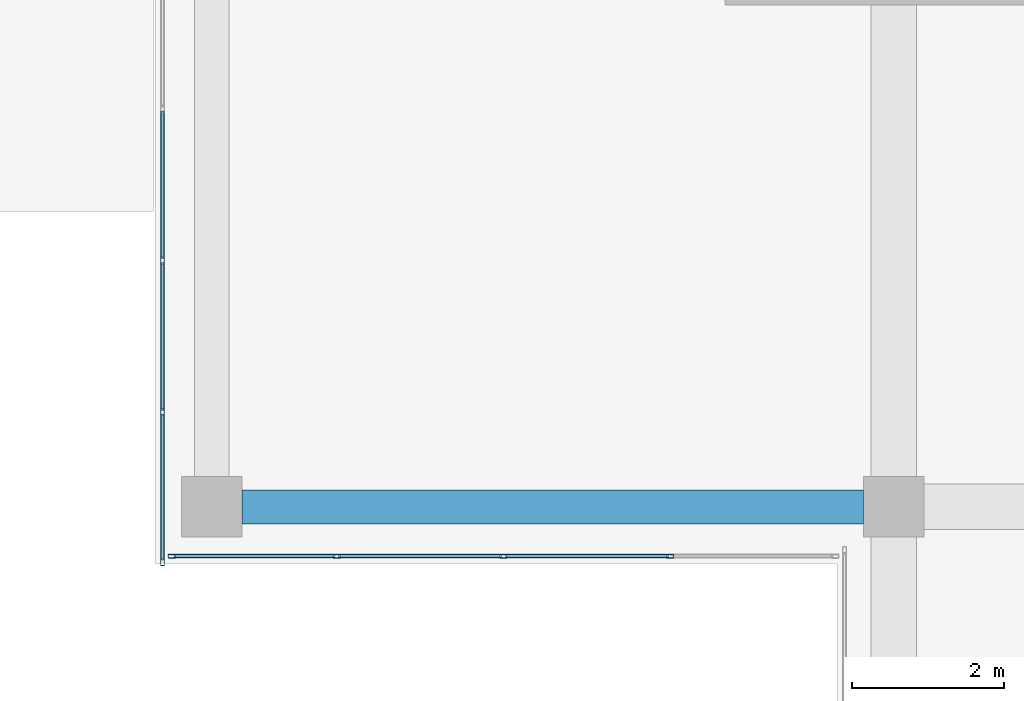
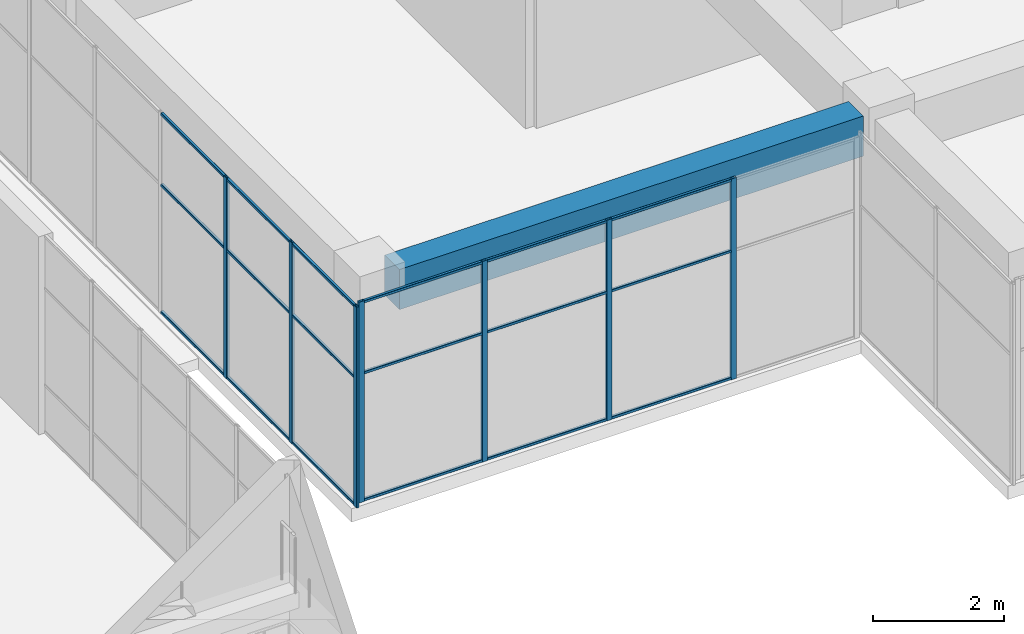
# One storey, part 18 of 66: 25 members, 1 beam, 2 elements without a shape of their own.
"""IFC4 building model written with IfcOpenShell, lengths in metres."""

from ifc_helpers import new_model, si_unit, direction, frame, origin, origin_2d, place, context, subcontext, project, spatial, rectangle, hollow_rectangle, extrude, material, layer, layer_set, material_profile, profile_set, type_object, element, aggregate, save


model = new_model("IFC4")

# Units and contexts
model_context = context("Model", 3, precision=1e-05, world=origin(), true_north=direction((0.0, 1.0)))
body_context = subcontext(model_context, "Body", "Model", "MODEL_VIEW")
ifc_project = project(units=[si_unit("LENGTHUNIT", "METRE"), si_unit("AREAUNIT", "SQUARE_METRE"), si_unit("VOLUMEUNIT", "CUBIC_METRE"), si_unit("PLANEANGLEUNIT", "RADIAN"), si_unit("MASSUNIT", "GRAM", prefix="KILO")], contexts=[model_context])

# Site, building, storey
site_placement = place(None, origin())
site = spatial("IfcSite", under=ifc_project, at=site_placement, CompositionType="ELEMENT")
building_placement = place(site_placement, origin())
building = spatial("IfcBuilding", under=site, at=building_placement, Name="Tuart Plaza Theatre", CompositionType="ELEMENT")
storey_placement = place(building_placement, frame((0.0, 0.0, 5.5)))
storey = spatial("IfcBuildingStorey", under=building, at=storey_placement, Name="L01", CompositionType="ELEMENT", Elevation=5.5)

# Beam
ifc_material_1 = material(Name="Concrete N40 (40 MPa)", Category="concrete")
ifc_material_profile_1 = material_profile(ifc_material_1, rectangle(XDim=0.449951171875, YDim=0.75, at=origin_2d()), Name="BEAM 450x750 Concrete N40 (40 MPa)")
ifc_profile_set_1 = profile_set([ifc_material_profile_1], Name="Concrete N40 (40 MPa)")
beam_type = type_object("IfcBeamType", Name="BEAM 450x750 Concrete N40 (40 MPa)", PredefinedType="BEAM", material=ifc_profile_set_1)
beam_placement = place(storey_placement, frame((114.39990234375, 56.0, 3.375), z_axis=(1.0, 0.0, 0.0), x_axis=(0.0, 1.0, 0.0)))
element("IfcBeam", 1, at=beam_placement, inside=storey, type_object=beam_type, Name="RB163", PredefinedType="BEAM", context=body_context, shape_type="SweptSolid", body=[
    extrude(rectangle(XDim=0.449951171875, YDim=0.75, at=origin_2d()), origin(), (0.0, 0.0, 1.0), 8.2001953125),
])

# Curtain wall, members
ifc_material_2 = material(Name="Aluminium and glass", Category="aluminium")
ifc_layer = layer(ifc_material_2, 0.10009765625)
ifc_layer_set = layer_set([ifc_layer], Name="CURTAIN WALL 2000 module")
curtain_wall_type = type_object("IfcCurtainWallType", Name="CURTAIN WALL 2000 module", PredefinedType="NOTDEFINED", material=ifc_layer_set)
curtain_wall_1_placement = place(storey_placement, origin())
curtain_wall_1 = element("IfcCurtainWall", 2, at=curtain_wall_1_placement, inside=storey, type_object=curtain_wall_type, Name="CW73", PredefinedType="NOTDEFINED")
ifc_material_3 = material(Name="Aluminium 6063-T5", Category="aluminium")
ifc_material_profile_2 = material_profile(ifc_material_3, hollow_rectangle(XDim=0.050048828125, YDim=0.10009765625, WallThickness=0.00390625, InnerFilletRadius=0.00390625, OuterFilletRadius=0.008056640625, at=origin_2d()), Name="RHS 100x50x4")
ifc_profile_set_2 = profile_set([ifc_material_profile_2], Name="Aluminium 6063-T5")
member_type_1 = type_object("IfcMemberType", Name="MULLION RHS 100x50x4", PredefinedType="MULLION", material=ifc_profile_set_2)
member_1_placement = place(storey_placement, frame((113.35009765625, 59.25, 0.0), z_axis=(0.0, 0.0, 1.0), x_axis=(1.0, 0.0, 0.0)))
member_1 = element("IfcMember", 3, at=member_1_placement, type_object=member_type_1, Name="CW73 mullion 20", PredefinedType="MULLION", context=body_context, shape_type="SweptSolid", body=[
    extrude(hollow_rectangle(XDim=0.050048828125, YDim=0.10009765625, WallThickness=0.00390625, InnerFilletRadius=0.00390625, OuterFilletRadius=0.008056640625, at=origin_2d()), origin(), (0.0, 0.0, 1.0), 3.75),
])
member_2_placement = place(storey_placement, frame((113.35009765625, 57.25, 0.0), z_axis=(0.0, 0.0, 1.0), x_axis=(1.0, 0.0, 0.0)))
member_2 = element("IfcMember", 4, at=member_2_placement, type_object=member_type_1, Name="CW73 mullion 21", PredefinedType="MULLION", context=body_context, shape_type="SweptSolid", body=[
    extrude(hollow_rectangle(XDim=0.050048828125, YDim=0.10009765625, WallThickness=0.00390625, InnerFilletRadius=0.00390625, OuterFilletRadius=0.008056640625, at=origin_2d()), origin(), (0.0, 0.0, 1.0), 3.75),
])
member_3_placement = place(storey_placement, frame((113.35009765625, 55.27490234375, 0.0), z_axis=(0.0, 0.0, 1.0), x_axis=(1.0, 0.0, 0.0)))
member_3 = element("IfcMember", 5, at=member_3_placement, type_object=member_type_1, Name="CW73 mullion 22", PredefinedType="MULLION", context=body_context, shape_type="SweptSolid", body=[
    extrude(hollow_rectangle(XDim=0.050048828125, YDim=0.10009765625, WallThickness=0.00390625, InnerFilletRadius=0.00390625, OuterFilletRadius=0.008056640625, at=origin_2d()), origin(), (0.0, 0.0, 1.0), 3.75),
])

curtain_wall_2_placement = place(storey_placement, origin())
curtain_wall_2 = element("IfcCurtainWall", 6, at=curtain_wall_2_placement, inside=storey, type_object=curtain_wall_type, Name="CW74", PredefinedType="NOTDEFINED")
member_4_placement = place(storey_placement, frame((113.47509765625, 55.35009765625, 0.0), z_axis=(0.0, 0.0, 1.0), x_axis=(0.0, 1.0, 0.0)))
member_4 = element("IfcMember", 7, at=member_4_placement, type_object=member_type_1, Name="CW74 mullion 1", PredefinedType="MULLION", context=body_context, shape_type="SweptSolid", body=[
    extrude(hollow_rectangle(XDim=0.050048828125, YDim=0.10009765625, WallThickness=0.00390625, InnerFilletRadius=0.00390625, OuterFilletRadius=0.008056640625, at=origin_2d()), origin(), (0.0, 0.0, 1.0), 3.75),
])
member_5_placement = place(storey_placement, frame((115.64990234375, 55.35009765625, 0.0), z_axis=(0.0, 0.0, 1.0), x_axis=(0.0, 1.0, 0.0)))
member_5 = element("IfcMember", 8, at=member_5_placement, type_object=member_type_1, Name="CW74 mullion 2", PredefinedType="MULLION", context=body_context, shape_type="SweptSolid", body=[
    extrude(hollow_rectangle(XDim=0.050048828125, YDim=0.10009765625, WallThickness=0.00390625, InnerFilletRadius=0.00390625, OuterFilletRadius=0.008056640625, at=origin_2d()), origin(), (0.0, 0.0, 1.0), 3.75),
])
member_6_placement = place(storey_placement, frame((117.85009765625, 55.35009765625, 0.0), z_axis=(0.0, 0.0, 1.0), x_axis=(0.0, 1.0, 0.0)))
member_6 = element("IfcMember", 9, at=member_6_placement, type_object=member_type_1, Name="CW74 mullion 3", PredefinedType="MULLION", context=body_context, shape_type="SweptSolid", body=[
    extrude(hollow_rectangle(XDim=0.050048828125, YDim=0.10009765625, WallThickness=0.00390625, InnerFilletRadius=0.00390625, OuterFilletRadius=0.008056640625, at=origin_2d()), origin(), (0.0, 0.0, 1.0), 3.75),
])
member_7_placement = place(storey_placement, frame((120.050048828125, 55.35009765625, 0.0), z_axis=(0.0, 0.0, 1.0), x_axis=(0.0, 1.0, 0.0)))
member_7 = element("IfcMember", 10, at=member_7_placement, type_object=member_type_1, Name="CW74 mullion 4", PredefinedType="MULLION", context=body_context, shape_type="SweptSolid", body=[
    extrude(hollow_rectangle(XDim=0.050048828125, YDim=0.10009765625, WallThickness=0.00390625, InnerFilletRadius=0.00390625, OuterFilletRadius=0.008056640625, at=origin_2d()), origin(), (0.0, 0.0, 1.0), 3.75),
])

# Member
ifc_material_4 = material(Name="Aluminium 6063-T5", Category="aluminium")
ifc_material_profile_3 = material_profile(ifc_material_4, hollow_rectangle(XDim=0.050048828125, YDim=0.050048828125, WallThickness=0.00390625, InnerFilletRadius=0.00390625, OuterFilletRadius=0.008056640625, at=origin_2d()), Name="RHS 50x50x4")
ifc_profile_set_3 = profile_set([ifc_material_profile_3], Name="Aluminium 6063-T5")
member_type_2 = type_object("IfcMemberType", Name="TRANSOM RHS 50x50x4", PredefinedType="USERDEFINED", material=ifc_profile_set_3)
member_8_placement = place(storey_placement, frame((113.35009765625, 61.22509765625, 0.02490234375), z_axis=(0.0, -1.0, 0.0), x_axis=(1.0, 0.0, 0.0)))
member_8 = element("IfcMember", 11, at=member_8_placement, type_object=member_type_2, Name="CW73 transom 19.1", ObjectType="TRANSOM", PredefinedType="USERDEFINED", context=body_context, shape_type="SweptSolid", body=[
    extrude(hollow_rectangle(XDim=0.050048828125, YDim=0.050048828125, WallThickness=0.00390625, InnerFilletRadius=0.00390625, OuterFilletRadius=0.008056640625, at=origin_2d()), origin(), (0.0, 0.0, 1.0), 1.9501953125),
])

member_9_placement = place(storey_placement, frame((113.35009765625, 61.22509765625, 2.39990234375), z_axis=(0.0, -1.0, 0.0), x_axis=(1.0, 0.0, 0.0)))
member_9 = element("IfcMember", 12, at=member_9_placement, type_object=member_type_2, Name="CW73 transom 19.2", ObjectType="TRANSOM", PredefinedType="USERDEFINED", context=body_context, shape_type="SweptSolid", body=[
    extrude(hollow_rectangle(XDim=0.050048828125, YDim=0.050048828125, WallThickness=0.00390625, InnerFilletRadius=0.00390625, OuterFilletRadius=0.008056640625, at=origin_2d()), origin(), (0.0, 0.0, 1.0), 1.9501953125),
])

member_10_placement = place(storey_placement, frame((113.35009765625, 61.22509765625, 3.72509765625), z_axis=(0.0, -1.0, 0.0), x_axis=(1.0, 0.0, 0.0)))
member_10 = element("IfcMember", 13, at=member_10_placement, type_object=member_type_2, Name="CW73 transom 19.3", ObjectType="TRANSOM", PredefinedType="USERDEFINED", context=body_context, shape_type="SweptSolid", body=[
    extrude(hollow_rectangle(XDim=0.050048828125, YDim=0.050048828125, WallThickness=0.00390625, InnerFilletRadius=0.00390625, OuterFilletRadius=0.008056640625, at=origin_2d()), origin(), (0.0, 0.0, 1.0), 1.9501953125),
])

member_11_placement = place(storey_placement, frame((113.35009765625, 59.22509765625, 0.02490234375), z_axis=(0.0, -1.0, 0.0), x_axis=(1.0, 0.0, 0.0)))
member_11 = element("IfcMember", 14, at=member_11_placement, type_object=member_type_2, Name="CW73 transom 20.1", ObjectType="TRANSOM", PredefinedType="USERDEFINED", context=body_context, shape_type="SweptSolid", body=[
    extrude(hollow_rectangle(XDim=0.050048828125, YDim=0.050048828125, WallThickness=0.00390625, InnerFilletRadius=0.00390625, OuterFilletRadius=0.008056640625, at=origin_2d()), origin(), (0.0, 0.0, 1.0), 1.9501953125),
])

member_12_placement = place(storey_placement, frame((113.35009765625, 59.22509765625, 2.39990234375), z_axis=(0.0, -1.0, 0.0), x_axis=(1.0, 0.0, 0.0)))
member_12 = element("IfcMember", 15, at=member_12_placement, type_object=member_type_2, Name="CW73 transom 20.2", ObjectType="TRANSOM", PredefinedType="USERDEFINED", context=body_context, shape_type="SweptSolid", body=[
    extrude(hollow_rectangle(XDim=0.050048828125, YDim=0.050048828125, WallThickness=0.00390625, InnerFilletRadius=0.00390625, OuterFilletRadius=0.008056640625, at=origin_2d()), origin(), (0.0, 0.0, 1.0), 1.9501953125),
])

member_13_placement = place(storey_placement, frame((113.35009765625, 59.22509765625, 3.72509765625), z_axis=(0.0, -1.0, 0.0), x_axis=(1.0, 0.0, 0.0)))
member_13 = element("IfcMember", 16, at=member_13_placement, type_object=member_type_2, Name="CW73 transom 20.3", ObjectType="TRANSOM", PredefinedType="USERDEFINED", context=body_context, shape_type="SweptSolid", body=[
    extrude(hollow_rectangle(XDim=0.050048828125, YDim=0.050048828125, WallThickness=0.00390625, InnerFilletRadius=0.00390625, OuterFilletRadius=0.008056640625, at=origin_2d()), origin(), (0.0, 0.0, 1.0), 1.9501953125),
])

member_14_placement = place(storey_placement, frame((113.35009765625, 57.22509765625, 0.02490234375), z_axis=(0.0, -1.0, 0.0), x_axis=(1.0, 0.0, 0.0)))
member_14 = element("IfcMember", 17, at=member_14_placement, type_object=member_type_2, Name="CW73 transom 21.1", ObjectType="TRANSOM", PredefinedType="USERDEFINED", context=body_context, shape_type="SweptSolid", body=[
    extrude(hollow_rectangle(XDim=0.050048828125, YDim=0.050048828125, WallThickness=0.00390625, InnerFilletRadius=0.00390625, OuterFilletRadius=0.008056640625, at=origin_2d()), origin(), (0.0, 0.0, 1.0), 1.925048828125),
])

member_15_placement = place(storey_placement, frame((113.35009765625, 57.22509765625, 2.39990234375), z_axis=(0.0, -1.0, 0.0), x_axis=(1.0, 0.0, 0.0)))
member_15 = element("IfcMember", 18, at=member_15_placement, type_object=member_type_2, Name="CW73 transom 21.2", ObjectType="TRANSOM", PredefinedType="USERDEFINED", context=body_context, shape_type="SweptSolid", body=[
    extrude(hollow_rectangle(XDim=0.050048828125, YDim=0.050048828125, WallThickness=0.00390625, InnerFilletRadius=0.00390625, OuterFilletRadius=0.008056640625, at=origin_2d()), origin(), (0.0, 0.0, 1.0), 1.925048828125),
])

member_16_placement = place(storey_placement, frame((113.35009765625, 57.22509765625, 3.72509765625), z_axis=(0.0, -1.0, 0.0), x_axis=(1.0, 0.0, 0.0)))
member_16 = element("IfcMember", 19, at=member_16_placement, type_object=member_type_2, Name="CW73 transom 21.3", ObjectType="TRANSOM", PredefinedType="USERDEFINED", context=body_context, shape_type="SweptSolid", body=[
    extrude(hollow_rectangle(XDim=0.050048828125, YDim=0.050048828125, WallThickness=0.00390625, InnerFilletRadius=0.00390625, OuterFilletRadius=0.008056640625, at=origin_2d()), origin(), (0.0, 0.0, 1.0), 1.925048828125),
])

aggregate(curtain_wall_1, [member_1, member_2, member_3, member_8, member_9, member_10, member_11, member_12, member_13, member_14, member_15, member_16])

member_17_placement = place(storey_placement, frame((113.5, 55.35009765625, 0.02490234375), z_axis=(1.0, 0.0, 0.0), x_axis=(0.0, 1.0, 0.0)))
member_17 = element("IfcMember", 20, at=member_17_placement, type_object=member_type_2, Name="CW74 transom 1.1", ObjectType="TRANSOM", PredefinedType="USERDEFINED", context=body_context, shape_type="SweptSolid", body=[
    extrude(hollow_rectangle(XDim=0.050048828125, YDim=0.050048828125, WallThickness=0.00390625, InnerFilletRadius=0.00390625, OuterFilletRadius=0.008056640625, at=origin_2d()), origin(), (0.0, 0.0, 1.0), 2.125),
])

member_18_placement = place(storey_placement, frame((113.5, 55.35009765625, 2.39990234375), z_axis=(1.0, 0.0, 0.0), x_axis=(0.0, 1.0, 0.0)))
member_18 = element("IfcMember", 21, at=member_18_placement, type_object=member_type_2, Name="CW74 transom 1.2", ObjectType="TRANSOM", PredefinedType="USERDEFINED", context=body_context, shape_type="SweptSolid", body=[
    extrude(hollow_rectangle(XDim=0.050048828125, YDim=0.050048828125, WallThickness=0.00390625, InnerFilletRadius=0.00390625, OuterFilletRadius=0.008056640625, at=origin_2d()), origin(), (0.0, 0.0, 1.0), 2.125),
])

member_19_placement = place(storey_placement, frame((113.5, 55.35009765625, 3.72509765625), z_axis=(1.0, 0.0, 0.0), x_axis=(0.0, 1.0, 0.0)))
member_19 = element("IfcMember", 22, at=member_19_placement, type_object=member_type_2, Name="CW74 transom 1.3", ObjectType="TRANSOM", PredefinedType="USERDEFINED", context=body_context, shape_type="SweptSolid", body=[
    extrude(hollow_rectangle(XDim=0.050048828125, YDim=0.050048828125, WallThickness=0.00390625, InnerFilletRadius=0.00390625, OuterFilletRadius=0.008056640625, at=origin_2d()), origin(), (0.0, 0.0, 1.0), 2.125),
])

member_20_placement = place(storey_placement, frame((115.675048828125, 55.35009765625, 0.02490234375), z_axis=(1.0, 0.0, 0.0), x_axis=(0.0, 1.0, 0.0)))
member_20 = element("IfcMember", 23, at=member_20_placement, type_object=member_type_2, Name="CW74 transom 2.1", ObjectType="TRANSOM", PredefinedType="USERDEFINED", context=body_context, shape_type="SweptSolid", body=[
    extrude(hollow_rectangle(XDim=0.050048828125, YDim=0.050048828125, WallThickness=0.00390625, InnerFilletRadius=0.00390625, OuterFilletRadius=0.008056640625, at=origin_2d()), origin(), (0.0, 0.0, 1.0), 2.14990234375),
])

member_21_placement = place(storey_placement, frame((115.675048828125, 55.35009765625, 2.39990234375), z_axis=(1.0, 0.0, 0.0), x_axis=(0.0, 1.0, 0.0)))
member_21 = element("IfcMember", 24, at=member_21_placement, type_object=member_type_2, Name="CW74 transom 2.2", ObjectType="TRANSOM", PredefinedType="USERDEFINED", context=body_context, shape_type="SweptSolid", body=[
    extrude(hollow_rectangle(XDim=0.050048828125, YDim=0.050048828125, WallThickness=0.00390625, InnerFilletRadius=0.00390625, OuterFilletRadius=0.008056640625, at=origin_2d()), origin(), (0.0, 0.0, 1.0), 2.14990234375),
])

member_22_placement = place(storey_placement, frame((115.675048828125, 55.35009765625, 3.72509765625), z_axis=(1.0, 0.0, 0.0), x_axis=(0.0, 1.0, 0.0)))
member_22 = element("IfcMember", 25, at=member_22_placement, type_object=member_type_2, Name="CW74 transom 2.3", ObjectType="TRANSOM", PredefinedType="USERDEFINED", context=body_context, shape_type="SweptSolid", body=[
    extrude(hollow_rectangle(XDim=0.050048828125, YDim=0.050048828125, WallThickness=0.00390625, InnerFilletRadius=0.00390625, OuterFilletRadius=0.008056640625, at=origin_2d()), origin(), (0.0, 0.0, 1.0), 2.14990234375),
])

member_23_placement = place(storey_placement, frame((117.875, 55.35009765625, 0.02490234375), z_axis=(1.0, 0.0, 0.0), x_axis=(0.0, 1.0, 0.0)))
member_23 = element("IfcMember", 26, at=member_23_placement, type_object=member_type_2, Name="CW74 transom 3.1", ObjectType="TRANSOM", PredefinedType="USERDEFINED", context=body_context, shape_type="SweptSolid", body=[
    extrude(hollow_rectangle(XDim=0.050048828125, YDim=0.050048828125, WallThickness=0.00390625, InnerFilletRadius=0.00390625, OuterFilletRadius=0.008056640625, at=origin_2d()), origin(), (0.0, 0.0, 1.0), 2.14990234375),
])

member_24_placement = place(storey_placement, frame((117.875, 55.35009765625, 2.39990234375), z_axis=(1.0, 0.0, 0.0), x_axis=(0.0, 1.0, 0.0)))
member_24 = element("IfcMember", 27, at=member_24_placement, type_object=member_type_2, Name="CW74 transom 3.2", ObjectType="TRANSOM", PredefinedType="USERDEFINED", context=body_context, shape_type="SweptSolid", body=[
    extrude(hollow_rectangle(XDim=0.050048828125, YDim=0.050048828125, WallThickness=0.00390625, InnerFilletRadius=0.00390625, OuterFilletRadius=0.008056640625, at=origin_2d()), origin(), (0.0, 0.0, 1.0), 2.14990234375),
])

member_25_placement = place(storey_placement, frame((117.875, 55.35009765625, 3.72509765625), z_axis=(1.0, 0.0, 0.0), x_axis=(0.0, 1.0, 0.0)))
member_25 = element("IfcMember", 28, at=member_25_placement, type_object=member_type_2, Name="CW74 transom 3.3", ObjectType="TRANSOM", PredefinedType="USERDEFINED", context=body_context, shape_type="SweptSolid", body=[
    extrude(hollow_rectangle(XDim=0.050048828125, YDim=0.050048828125, WallThickness=0.00390625, InnerFilletRadius=0.00390625, OuterFilletRadius=0.008056640625, at=origin_2d()), origin(), (0.0, 0.0, 1.0), 2.14990234375),
])

aggregate(curtain_wall_2, [member_4, member_5, member_6, member_7, member_17, member_18, member_19, member_20, member_21, member_22, member_23, member_24, member_25])

save(model, "model.ifc")
